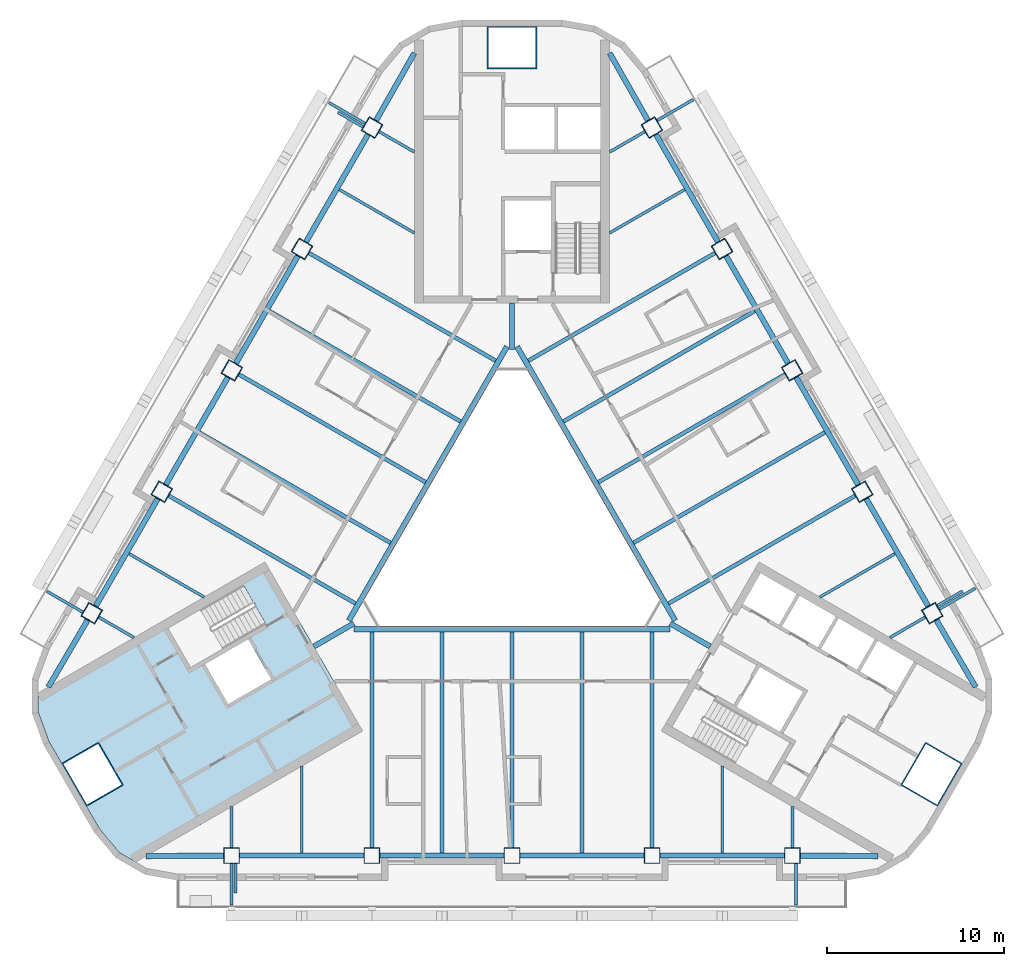
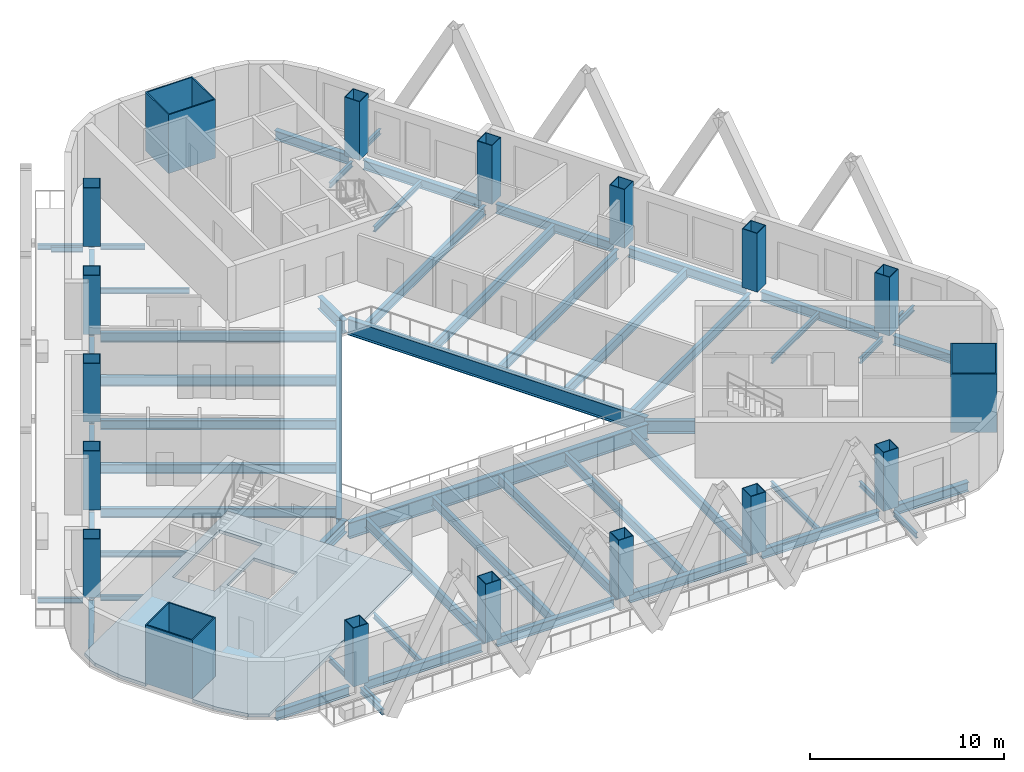
# One storey, part 1 of 13: 60 beams, 18 columns, 1 slab.
"""IFC4 building model written with IfcOpenShell, lengths in metres."""

from ifc_helpers import new_model, si_unit, direction, frame, origin, origin_2d, place, context, subcontext, project, spatial, polyline, rectangle, hollow_rectangle, i_section, outline, extrude, material, layer, layer_set, material_profile, profile_set, type_object, element, save


model = new_model("IFC4")

# Units and contexts
model_context = context("Model", 3, precision=1e-05, world=origin(), true_north=direction((0.0, 1.0)))
body_context = subcontext(model_context, "Body", "Model", "MODEL_VIEW")
ifc_project = project(units=[si_unit("LENGTHUNIT", "METRE"), si_unit("AREAUNIT", "SQUARE_METRE"), si_unit("VOLUMEUNIT", "CUBIC_METRE"), si_unit("PLANEANGLEUNIT", "RADIAN"), si_unit("MASSUNIT", "GRAM", prefix="KILO")], contexts=[model_context])

# Site, building, storey
site_placement = place(None, origin())
site = spatial("IfcSite", under=ifc_project, at=site_placement, CompositionType="ELEMENT")
building_placement = place(site_placement, origin())
building = spatial("IfcBuilding", under=site, at=building_placement, Name="Apuvela Tower Hotel", CompositionType="ELEMENT")
storey_placement = place(building_placement, frame((0.0, 0.0, 105.699951171875)))
storey = spatial("IfcBuildingStorey", under=building, at=storey_placement, Name="L24", CompositionType="ELEMENT", Elevation=105.699951171875)

# Columns
ifc_material_1 = material(Name="Steel S460", Category="steel")
ifc_material_profile_1 = material_profile(ifc_material_1, hollow_rectangle(XDim=2.800048828125, YDim=2.39990234375, WallThickness=0.070068359375, at=origin_2d()), Name="BOX 2800x2400x70")
ifc_material_2 = material(Name="Concrete C80/95", Category="concrete")
ifc_material_profile_2 = material_profile(ifc_material_2, rectangle(XDim=2.659912109375, YDim=2.260009765625, at=origin_2d()), Name="Concrete C80/95 infill")
ifc_profile_set_1 = profile_set([ifc_material_profile_1, ifc_material_profile_2], Name="Steel S460")
column_type_1 = type_object("IfcColumnType", Name="STR-MC mega column BOX 2800x2400x70", PredefinedType="COLUMN", material=ifc_profile_set_1)
for number, where, z_axis, x_axis, name in (
    (1, (0.0, 27.300048828125, 0.0), (0.0, 0.0, 1.0), (1.0, 0.0, 0.0), "Mega column MC2 N"),
    (2, (-23.642578125, -13.64990234375, 0.0), (0.0, 0.0, 1.0), (-0.5, 0.866025403784, 0.0), "Mega column MC2 SW"),
    (3, (23.642578125, -13.64990234375, 0.0), (0.0, 0.0, 1.0), (0.5, 0.866025403784, 0.0), "Mega column MC2 SE"),
):
    element("IfcColumn", number, at=place(storey_placement, frame(where, z_axis=z_axis, x_axis=x_axis)), inside=storey, type_object=column_type_1, Name=name, PredefinedType="COLUMN", context=body_context, shape_type="SweptSolid", body=[
        extrude(hollow_rectangle(XDim=2.800048828125, YDim=2.39990234375, WallThickness=0.070068359375, at=origin_2d()), origin(), (0.0, 0.0, 1.0), 3.699951171875),
    ])
ifc_material_profile_3 = material_profile(ifc_material_1, hollow_rectangle(XDim=0.89990234375, YDim=0.89990234375, WallThickness=0.0400390625, at=origin_2d()), Name="BOX 900x900x40")
ifc_material_profile_4 = material_profile(ifc_material_2, rectangle(XDim=0.820068359375, YDim=0.820068359375, at=origin_2d()), Name="Concrete C80/95 infill")
ifc_profile_set_2 = profile_set([ifc_material_profile_3, ifc_material_profile_4], Name="Steel S460")
column_type_2 = type_object("IfcColumnType", Name="STR-PC perimeter column BOX 900x900x40", PredefinedType="COLUMN", material=ifc_profile_set_2)
for number, where, z_axis, x_axis, name in (
    (4, (-15.800048828125, -18.22998046875, 0.0), (0.0, 0.0, 1.0), (-1.0, 0.0, 0.0), "Perimeter column C3 S1"),
    (5, (-7.89990234375, -18.22998046875, 0.0), (0.0, 0.0, 1.0), (-1.0, 0.0, 0.0), "Perimeter column C3 S2"),
    (6, (0.0, -18.22998046875, 0.0), (0.0, 0.0, 1.0), (-1.0, 0.0, 0.0), "Perimeter column C3 S3"),
    (7, (7.89990234375, -18.22998046875, 0.0), (0.0, 0.0, 1.0), (-1.0, 0.0, 0.0), "Perimeter column C3 S4"),
    (8, (15.800048828125, -18.22998046875, 0.0), (0.0, 0.0, 1.0), (-1.0, 0.0, 0.0), "Perimeter column C3 S5"),
    (9, (23.6875, -4.568115234375, 0.0), (0.0, 0.0, 1.0), (-0.5, 0.866025403784, 0.0), "Perimeter column C3 NE1"),
    (10, (19.737548828125, 2.2734375, 0.0), (0.0, 0.0, 1.0), (-0.5, 0.866025403784, 0.0), "Perimeter column C3 NE2"),
    (11, (15.78759765625, 9.114990234375, 0.0), (0.0, 0.0, 1.0), (-0.5, 0.866025403784, 0.0), "Perimeter column C3 NE3"),
    (12, (11.837646484375, 15.95654296875, 0.0), (0.0, 0.0, 1.0), (-0.5, 0.866025403784, 0.0), "Perimeter column C3 NE4"),
    (13, (7.8876953125, 22.798095703125, 0.0), (0.0, 0.0, 1.0), (-0.5, 0.866025403784, 0.0), "Perimeter column C3 NE5"),
    (14, (-7.8876953125, 22.798095703125, 0.0), (0.0, 0.0, 1.0), (0.5, 0.866025403784, 0.0), "Perimeter column C3 NW1"),
    (15, (-11.837646484375, 15.95654296875, 0.0), (0.0, 0.0, 1.0), (0.5, 0.866025403784, 0.0), "Perimeter column C3 NW2"),
    (16, (-15.78759765625, 9.114990234375, 0.0), (0.0, 0.0, 1.0), (0.5, 0.866025403784, 0.0), "Perimeter column C3 NW3"),
    (17, (-19.737548828125, 2.2734375, 0.0), (0.0, 0.0, 1.0), (0.5, 0.866025403784, 0.0), "Perimeter column C3 NW4"),
    (18, (-23.6875, -4.568115234375, 0.0), (0.0, 0.0, 1.0), (0.5, 0.866025403784, 0.0), "Perimeter column C3 NW5"),
):
    element("IfcColumn", number, at=place(storey_placement, frame(where, z_axis=z_axis, x_axis=x_axis)), inside=storey, type_object=column_type_2, Name=name, PredefinedType="COLUMN", context=body_context, shape_type="SweptSolid", body=[
        extrude(hollow_rectangle(XDim=0.89990234375, YDim=0.89990234375, WallThickness=0.0400390625, at=origin_2d()), origin(), (0.0, 0.0, 1.0), 3.699951171875),
    ])

# Beams
ifc_material_3 = material(Name="Steel S355", Category="steel")
ifc_material_profile_5 = material_profile(ifc_material_3, i_section(OverallWidth=0.159912109375, OverallDepth=0.330078125, WebThickness=0.007568359375, FlangeThickness=0.011474609375, at=origin_2d()), Name="IPE 330")
ifc_profile_set_3 = profile_set([ifc_material_profile_5], Name="Steel S355")
beam_type_1 = type_object("IfcBeamType", Name="ENV-BALCONY-BEAM-IPE330", PredefinedType="BEAM", material=ifc_profile_set_3)
beam_1_placement = place(storey_placement, frame((-15.800048828125, -18.679931640625, -0.31494140625), z_axis=(0.0, -1.0, 0.0), x_axis=(1.0, 0.0, 0.0)))
element("IfcBeam", 19, at=beam_1_placement, inside=storey, type_object=beam_type_1, Name="Balcony cantilever beam S1 L24", PredefinedType="BEAM", context=body_context, shape_type="SweptSolid", body=[
    extrude(i_section(OverallWidth=0.159912109375, OverallDepth=0.330078125, WebThickness=0.007568359375, FlangeThickness=0.011474609375, at=origin_2d()), origin(), (0.0, 0.0, 1.0), 2.35009765625),
])
beam_2_placement = place(storey_placement, frame((-15.580078125, -18.679931640625, -0.31494140625), z_axis=(0.0, -1.0, 0.0), x_axis=(1.0, 0.0, 0.0)))
element("IfcBeam", 20, at=beam_2_placement, inside=storey, type_object=beam_type_1, Name="Balcony cantilever beam S2 L24", PredefinedType="BEAM", context=body_context, shape_type="SweptSolid", body=[
    extrude(i_section(OverallWidth=0.159912109375, OverallDepth=0.330078125, WebThickness=0.007568359375, FlangeThickness=0.011474609375, at=origin_2d()), origin(), (0.0, 0.0, 1.0), 1.650146484375),
])
for number, where, z_axis, x_axis, name in (
    (21, (16.0, -18.679931640625, -0.31494140625), (0.0, -1.0, 0.0), (1.0, 0.0, 0.0), "Balcony cantilever beam S3 L24"),
    (22, (24.077392578125, -4.34326171875, -0.31494140625), (0.866016039709, 0.500016218704, 0.0), (-0.500016218704, 0.866016039709, 0.0), "Balcony cantilever beam NE1 L24"),
):
    element("IfcBeam", number, at=place(storey_placement, frame(where, z_axis=z_axis, x_axis=x_axis)), inside=storey, type_object=beam_type_1, Name=name, PredefinedType="BEAM", context=body_context, shape_type="SweptSolid", body=[
        extrude(i_section(OverallWidth=0.159912109375, OverallDepth=0.330078125, WebThickness=0.007568359375, FlangeThickness=0.011474609375, at=origin_2d()), origin(), (0.0, 0.0, 1.0), 2.35009765625),
    ])
beam_3_placement = place(storey_placement, frame((23.96728515625, -4.152587890625, -0.31494140625), z_axis=(0.866040211805, 0.499974350878, 0.0), x_axis=(-0.499974350878, 0.866040211805, 0.0)))
element("IfcBeam", 23, at=beam_3_placement, inside=storey, type_object=beam_type_1, Name="Balcony cantilever beam NE2 L24", PredefinedType="BEAM", context=body_context, shape_type="SweptSolid", body=[
    extrude(i_section(OverallWidth=0.159912109375, OverallDepth=0.330078125, WebThickness=0.007568359375, FlangeThickness=0.011474609375, at=origin_2d()), origin(), (0.0, 0.0, 1.0), 1.64990234375),
])
beam_4_placement = place(storey_placement, frame((8.177490234375, 23.1962890625, -0.31494140625), z_axis=(0.865990062348, 0.500061208168, 0.0), x_axis=(-0.500061208168, 0.865990062348, 0.0)))
element("IfcBeam", 24, at=beam_4_placement, inside=storey, type_object=beam_type_1, Name="Balcony cantilever beam NE3 L24", PredefinedType="BEAM", context=body_context, shape_type="SweptSolid", body=[
    extrude(i_section(OverallWidth=0.159912109375, OverallDepth=0.330078125, WebThickness=0.007568359375, FlangeThickness=0.011474609375, at=origin_2d()), origin(), (0.0, 0.0, 1.0), 2.349853515625),
])
beam_5_placement = place(storey_placement, frame((-8.27734375, 23.023193359375, -0.31494140625), z_axis=(-0.866016039709, 0.500016218704, 0.0), x_axis=(-0.500016218704, -0.866016039709, 0.0)))
element("IfcBeam", 25, at=beam_5_placement, inside=storey, type_object=beam_type_1, Name="Balcony cantilever beam NW1 L24", PredefinedType="BEAM", context=body_context, shape_type="SweptSolid", body=[
    extrude(i_section(OverallWidth=0.159912109375, OverallDepth=0.330078125, WebThickness=0.007568359375, FlangeThickness=0.011474609375, at=origin_2d()), origin(), (0.0, 0.0, 1.0), 2.35009765625),
])
beam_6_placement = place(storey_placement, frame((-8.387451171875, 22.832763671875, -0.31494140625), z_axis=(-0.866040211805, 0.499974350878, 0.0), x_axis=(-0.499974350878, -0.866040211805, 0.0)))
element("IfcBeam", 26, at=beam_6_placement, inside=storey, type_object=beam_type_1, Name="Balcony cantilever beam NW2 L24", PredefinedType="BEAM", context=body_context, shape_type="SweptSolid", body=[
    extrude(i_section(OverallWidth=0.159912109375, OverallDepth=0.330078125, WebThickness=0.007568359375, FlangeThickness=0.011474609375, at=origin_2d()), origin(), (0.0, 0.0, 1.0), 1.64990234375),
])
beam_7_placement = place(storey_placement, frame((-24.177490234375, -4.516357421875, -0.31494140625), z_axis=(-0.865990062348, 0.500061208168, 0.0), x_axis=(-0.500061208168, -0.865990062348, 0.0)))
element("IfcBeam", 27, at=beam_7_placement, inside=storey, type_object=beam_type_1, Name="Balcony cantilever beam NW3 L24", PredefinedType="BEAM", context=body_context, shape_type="SweptSolid", body=[
    extrude(i_section(OverallWidth=0.159912109375, OverallDepth=0.330078125, WebThickness=0.007568359375, FlangeThickness=0.011474609375, at=origin_2d()), origin(), (0.0, 0.0, 1.0), 2.349853515625),
])
ifc_material_profile_6 = material_profile(ifc_material_3, i_section(OverallWidth=0.159912109375, OverallDepth=0.330078125, WebThickness=0.007568359375, FlangeThickness=0.011474609375, at=origin_2d()), Name="IPE 330")
ifc_profile_set_4 = profile_set([ifc_material_profile_6], Name="Steel S355")
beam_type_2 = type_object("IfcBeamType", Name="STR-B floor beam IPE 330", PredefinedType="BEAM", material=ifc_profile_set_4)
beam_8_placement = place(storey_placement, frame((23.2978515625, -4.793212890625, -0.31494140625), z_axis=(-0.866000531106, -0.500043078269, 0.0), x_axis=(0.500043078269, -0.866000531106, 0.0)))
element("IfcBeam", 28, at=beam_8_placement, inside=storey, type_object=beam_type_2, Name="Floor beam B1 NE1", PredefinedType="BEAM", context=body_context, shape_type="SweptSolid", body=[
    extrude(i_section(OverallWidth=0.159912109375, OverallDepth=0.330078125, WebThickness=0.007568359375, FlangeThickness=0.011474609375, at=origin_2d()), origin(), (0.0, 0.0, 1.0), 2.306884765625),
])
for number, where, z_axis, x_axis, name in (
    (29, (21.582763671875, -1.222412109375, -0.31494140625), (-0.866015056278, -0.500017921979, 0.0), (0.500017921979, -0.866015056278, 0.0), "Floor beam B1 NE2"),
    (30, (9.732666015625, 19.302490234375, -0.31494140625), (-0.866015056278, -0.500017921979, 0.0), (0.500017921979, -0.866015056278, 0.0), "Floor beam B1 NE8"),
):
    element("IfcBeam", number, at=place(storey_placement, frame(where, z_axis=z_axis, x_axis=x_axis)), inside=storey, type_object=beam_type_2, Name=name, PredefinedType="BEAM", context=body_context, shape_type="SweptSolid", body=[
        extrude(i_section(OverallWidth=0.159912109375, OverallDepth=0.330078125, WebThickness=0.007568359375, FlangeThickness=0.011474609375, at=origin_2d()), origin(), (0.0, 0.0, 1.0), 4.887451171875),
    ])
for number, where, z_axis, x_axis, name in (
    (31, (7.497802734375, 22.5732421875, -0.31494140625), (-0.866000531106, -0.500043078269, 0.0), (0.500043078269, -0.866000531106, 0.0), "Floor beam B1 NE9"),
    (32, (-7.497802734375, 22.5732421875, -0.31494140625), (0.866000531106, -0.500043078269, 0.0), (0.500043078269, 0.866000531106, 0.0), "Floor beam B1 NW1"),
):
    element("IfcBeam", number, at=place(storey_placement, frame(where, z_axis=z_axis, x_axis=x_axis)), inside=storey, type_object=beam_type_2, Name=name, PredefinedType="BEAM", context=body_context, shape_type="SweptSolid", body=[
        extrude(i_section(OverallWidth=0.159912109375, OverallDepth=0.330078125, WebThickness=0.007568359375, FlangeThickness=0.011474609375, at=origin_2d()), origin(), (0.0, 0.0, 1.0), 2.306884765625),
    ])
for number, where, z_axis, x_axis, name in (
    (33, (-9.732666015625, 19.302490234375, -0.31494140625), (0.866015056278, -0.500017921979, 0.0), (0.500017921979, 0.866015056278, 0.0), "Floor beam B1 NW2"),
    (34, (-21.582763671875, -1.222412109375, -0.31494140625), (0.866015056278, -0.500017921979, 0.0), (0.500017921979, 0.866015056278, 0.0), "Floor beam B1 NW8"),
):
    element("IfcBeam", number, at=place(storey_placement, frame(where, z_axis=z_axis, x_axis=x_axis)), inside=storey, type_object=beam_type_2, Name=name, PredefinedType="BEAM", context=body_context, shape_type="SweptSolid", body=[
        extrude(i_section(OverallWidth=0.159912109375, OverallDepth=0.330078125, WebThickness=0.007568359375, FlangeThickness=0.011474609375, at=origin_2d()), origin(), (0.0, 0.0, 1.0), 4.887451171875),
    ])
beam_9_placement = place(storey_placement, frame((-23.2978515625, -4.793212890625, -0.31494140625), z_axis=(0.866000531106, -0.500043078269, 0.0), x_axis=(0.500043078269, 0.866000531106, 0.0)))
element("IfcBeam", 35, at=beam_9_placement, inside=storey, type_object=beam_type_2, Name="Floor beam B1 NW9", PredefinedType="BEAM", context=body_context, shape_type="SweptSolid", body=[
    extrude(i_section(OverallWidth=0.159912109375, OverallDepth=0.330078125, WebThickness=0.007568359375, FlangeThickness=0.011474609375, at=origin_2d()), origin(), (0.0, 0.0, 1.0), 2.306884765625),
])
beam_10_placement = place(storey_placement, frame((-15.800048828125, -17.780029296875, -0.31494140625), z_axis=(0.0, 1.0, 0.0), x_axis=(-1.0, 0.0, 0.0)))
element("IfcBeam", 36, at=beam_10_placement, inside=storey, type_object=beam_type_2, Name="Floor beam B1 S1", PredefinedType="BEAM", context=body_context, shape_type="SweptSolid", body=[
    extrude(i_section(OverallWidth=0.159912109375, OverallDepth=0.330078125, WebThickness=0.007568359375, FlangeThickness=0.011474609375, at=origin_2d()), origin(), (0.0, 0.0, 1.0), 2.30712890625),
])
for number, where, z_axis, x_axis, name in (
    (37, (-11.85009765625, -18.080078125, -0.31494140625), (0.0, 1.0, 0.0), (-1.0, 0.0, 0.0), "Floor beam B1 S2"),
    (38, (11.85009765625, -18.080078125, -0.31494140625), (0.0, 1.0, 0.0), (-1.0, 0.0, 0.0), "Floor beam B1 S8"),
):
    element("IfcBeam", number, at=place(storey_placement, frame(where, z_axis=z_axis, x_axis=x_axis)), inside=storey, type_object=beam_type_2, Name=name, PredefinedType="BEAM", context=body_context, shape_type="SweptSolid", body=[
        extrude(i_section(OverallWidth=0.159912109375, OverallDepth=0.330078125, WebThickness=0.007568359375, FlangeThickness=0.011474609375, at=origin_2d()), origin(), (0.0, 0.0, 1.0), 4.8876953125),
    ])
beam_11_placement = place(storey_placement, frame((15.800048828125, -17.780029296875, -0.31494140625), z_axis=(0.0, 1.0, 0.0), x_axis=(-1.0, 0.0, 0.0)))
element("IfcBeam", 39, at=beam_11_placement, inside=storey, type_object=beam_type_2, Name="Floor beam B1 S9", PredefinedType="BEAM", context=body_context, shape_type="SweptSolid", body=[
    extrude(i_section(OverallWidth=0.159912109375, OverallDepth=0.330078125, WebThickness=0.007568359375, FlangeThickness=0.011474609375, at=origin_2d()), origin(), (0.0, 0.0, 1.0), 2.30712890625),
])
ifc_material_profile_7 = material_profile(ifc_material_3, i_section(OverallWidth=0.219970703125, OverallDepth=0.60009765625, WebThickness=0.011962890625, FlangeThickness=0.01904296875, at=origin_2d()), Name="IPE 600")
ifc_profile_set_5 = profile_set([ifc_material_profile_7], Name="Steel S355")
beam_type_3 = type_object("IfcBeamType", Name="STR-B floor beam IPE 600", PredefinedType="BEAM", material=ifc_profile_set_5)
beam_12_placement = place(storey_placement, frame((19.347900390625, 2.04833984375, -0.449951171875), z_axis=(-0.866028751965, -0.499994200737, 0.0), x_axis=(0.499994200737, -0.866028751965, 0.0)))
element("IfcBeam", 40, at=beam_12_placement, inside=storey, type_object=beam_type_3, Name="Floor beam B8 NE3", PredefinedType="BEAM", context=body_context, shape_type="SweptSolid", body=[
    extrude(i_section(OverallWidth=0.219970703125, OverallDepth=0.60009765625, WebThickness=0.011962890625, FlangeThickness=0.01904296875, at=origin_2d()), origin(), (0.0, 0.0, 1.0), 12.157958984375),
])
beam_13_placement = place(storey_placement, frame((17.6328125, 5.619140625, -0.449951171875), z_axis=(-0.866027636335, -0.499996133089, 0.0), x_axis=(0.499996133089, -0.866027636335, 0.0)))
element("IfcBeam", 41, at=beam_13_placement, inside=storey, type_object=beam_type_3, Name="Floor beam B8 NE4", PredefinedType="BEAM", context=body_context, shape_type="SweptSolid", body=[
    extrude(i_section(OverallWidth=0.219970703125, OverallDepth=0.60009765625, WebThickness=0.011962890625, FlangeThickness=0.01904296875, at=origin_2d()), origin(), (0.0, 0.0, 1.0), 12.4580078125),
])
beam_14_placement = place(storey_placement, frame((15.39794921875, 8.889892578125, -0.449951171875), z_axis=(-0.866028751965, -0.499994200737, 0.0), x_axis=(0.499994200737, -0.866028751965, 0.0)))
element("IfcBeam", 42, at=beam_14_placement, inside=storey, type_object=beam_type_3, Name="Floor beam B8 NE5", PredefinedType="BEAM", context=body_context, shape_type="SweptSolid", body=[
    extrude(i_section(OverallWidth=0.219970703125, OverallDepth=0.60009765625, WebThickness=0.011962890625, FlangeThickness=0.01904296875, at=origin_2d()), origin(), (0.0, 0.0, 1.0), 12.157958984375),
])
beam_15_placement = place(storey_placement, frame((13.6826171875, 12.460693359375, -0.449951171875), z_axis=(-0.866022737053, -0.500004618886, 0.0), x_axis=(0.500004618886, -0.866022737053, 0.0)))
element("IfcBeam", 43, at=beam_15_placement, inside=storey, type_object=beam_type_3, Name="Floor beam B8 NE6", PredefinedType="BEAM", context=body_context, shape_type="SweptSolid", body=[
    extrude(i_section(OverallWidth=0.219970703125, OverallDepth=0.60009765625, WebThickness=0.011962890625, FlangeThickness=0.01904296875, at=origin_2d()), origin(), (0.0, 0.0, 1.0), 12.4580078125),
])
for number, where, z_axis, x_axis, name in (
    (44, (11.447998046875, 15.731689453125, -0.449951171875), (-0.866025076934, -0.500000566121, 0.0), (0.500000566121, -0.866025076934, 0.0), "Floor beam B8 NE7"),
    (45, (-11.447998046875, 15.731689453125, -0.449951171875), (0.866025076934, -0.500000566121, 0.0), (0.500000566121, 0.866025076934, 0.0), "Floor beam B8 NW3"),
):
    element("IfcBeam", number, at=place(storey_placement, frame(where, z_axis=z_axis, x_axis=x_axis)), inside=storey, type_object=beam_type_3, Name=name, PredefinedType="BEAM", context=body_context, shape_type="SweptSolid", body=[
        extrude(i_section(OverallWidth=0.219970703125, OverallDepth=0.60009765625, WebThickness=0.011962890625, FlangeThickness=0.01904296875, at=origin_2d()), origin(), (0.0, 0.0, 1.0), 12.158203125),
    ])
beam_16_placement = place(storey_placement, frame((-13.6826171875, 12.460693359375, -0.449951171875), z_axis=(0.866022737053, -0.500004618886, 0.0), x_axis=(0.500004618886, 0.866022737053, 0.0)))
element("IfcBeam", 46, at=beam_16_placement, inside=storey, type_object=beam_type_3, Name="Floor beam B8 NW4", PredefinedType="BEAM", context=body_context, shape_type="SweptSolid", body=[
    extrude(i_section(OverallWidth=0.219970703125, OverallDepth=0.60009765625, WebThickness=0.011962890625, FlangeThickness=0.01904296875, at=origin_2d()), origin(), (0.0, 0.0, 1.0), 12.4580078125),
])
beam_17_placement = place(storey_placement, frame((-15.39794921875, 8.889892578125, -0.449951171875), z_axis=(0.866028751965, -0.499994200737, 0.0), x_axis=(0.499994200737, 0.866028751965, 0.0)))
element("IfcBeam", 47, at=beam_17_placement, inside=storey, type_object=beam_type_3, Name="Floor beam B8 NW5", PredefinedType="BEAM", context=body_context, shape_type="SweptSolid", body=[
    extrude(i_section(OverallWidth=0.219970703125, OverallDepth=0.60009765625, WebThickness=0.011962890625, FlangeThickness=0.01904296875, at=origin_2d()), origin(), (0.0, 0.0, 1.0), 12.157958984375),
])
beam_18_placement = place(storey_placement, frame((-17.6328125, 5.619140625, -0.449951171875), z_axis=(0.866027636335, -0.499996133089, 0.0), x_axis=(0.499996133089, 0.866027636335, 0.0)))
element("IfcBeam", 48, at=beam_18_placement, inside=storey, type_object=beam_type_3, Name="Floor beam B8 NW6", PredefinedType="BEAM", context=body_context, shape_type="SweptSolid", body=[
    extrude(i_section(OverallWidth=0.219970703125, OverallDepth=0.60009765625, WebThickness=0.011962890625, FlangeThickness=0.01904296875, at=origin_2d()), origin(), (0.0, 0.0, 1.0), 12.4580078125),
])
for number, where, z_axis, x_axis, name in (
    (49, (-19.347900390625, 2.04833984375, -0.449951171875), (0.866028751965, -0.499994200737, 0.0), (0.499994200737, 0.866028751965, 0.0), "Floor beam B8 NW7"),
    (50, (-7.89990234375, -17.780029296875, -0.449951171875), (0.0, 1.0, 0.0), (-1.0, 0.0, 0.0), "Floor beam B8 S3"),
):
    element("IfcBeam", number, at=place(storey_placement, frame(where, z_axis=z_axis, x_axis=x_axis)), inside=storey, type_object=beam_type_3, Name=name, PredefinedType="BEAM", context=body_context, shape_type="SweptSolid", body=[
        extrude(i_section(OverallWidth=0.219970703125, OverallDepth=0.60009765625, WebThickness=0.011962890625, FlangeThickness=0.01904296875, at=origin_2d()), origin(), (0.0, 0.0, 1.0), 12.157958984375),
    ])
beam_19_placement = place(storey_placement, frame((-3.949951171875, -18.080078125, -0.449951171875), z_axis=(0.0, 1.0, 0.0), x_axis=(-1.0, 0.0, 0.0)))
element("IfcBeam", 51, at=beam_19_placement, inside=storey, type_object=beam_type_3, Name="Floor beam B8 S4", PredefinedType="BEAM", context=body_context, shape_type="SweptSolid", body=[
    extrude(i_section(OverallWidth=0.219970703125, OverallDepth=0.60009765625, WebThickness=0.011962890625, FlangeThickness=0.01904296875, at=origin_2d()), origin(), (0.0, 0.0, 1.0), 12.4580078125),
])
beam_20_placement = place(storey_placement, frame((0.0, -17.780029296875, -0.449951171875), z_axis=(0.0, 1.0, 0.0), x_axis=(-1.0, 0.0, 0.0)))
element("IfcBeam", 52, at=beam_20_placement, inside=storey, type_object=beam_type_3, Name="Floor beam B8 S5", PredefinedType="BEAM", context=body_context, shape_type="SweptSolid", body=[
    extrude(i_section(OverallWidth=0.219970703125, OverallDepth=0.60009765625, WebThickness=0.011962890625, FlangeThickness=0.01904296875, at=origin_2d()), origin(), (0.0, 0.0, 1.0), 12.157958984375),
])
beam_21_placement = place(storey_placement, frame((3.949951171875, -18.080078125, -0.449951171875), z_axis=(0.0, 1.0, 0.0), x_axis=(-1.0, 0.0, 0.0)))
element("IfcBeam", 53, at=beam_21_placement, inside=storey, type_object=beam_type_3, Name="Floor beam B8 S6", PredefinedType="BEAM", context=body_context, shape_type="SweptSolid", body=[
    extrude(i_section(OverallWidth=0.219970703125, OverallDepth=0.60009765625, WebThickness=0.011962890625, FlangeThickness=0.01904296875, at=origin_2d()), origin(), (0.0, 0.0, 1.0), 12.4580078125),
])
beam_22_placement = place(storey_placement, frame((7.89990234375, -17.780029296875, -0.449951171875), z_axis=(0.0, 1.0, 0.0), x_axis=(-1.0, 0.0, 0.0)))
element("IfcBeam", 54, at=beam_22_placement, inside=storey, type_object=beam_type_3, Name="Floor beam B8 S7", PredefinedType="BEAM", context=body_context, shape_type="SweptSolid", body=[
    extrude(i_section(OverallWidth=0.219970703125, OverallDepth=0.60009765625, WebThickness=0.011962890625, FlangeThickness=0.01904296875, at=origin_2d()), origin(), (0.0, 0.0, 1.0), 12.157958984375),
])
ifc_material_profile_8 = material_profile(ifc_material_3, i_section(OverallWidth=0.302001953125, OverallDepth=1.008056640625, WebThickness=0.02099609375, FlangeThickness=0.0400390625, at=origin_2d()), Name="HE 1000 M")
ifc_profile_set_6 = profile_set([ifc_material_profile_8], Name="Steel S355")
beam_type_4 = type_object("IfcBeamType", Name="STR-G atrium ring girder HE 1000 M", PredefinedType="BEAM", material=ifc_profile_set_6)
for number, where, z_axis, x_axis, name in (
    (55, (-0.28076171875, 10.455810546875, -0.654052734375), (-0.500000611842, -0.866025050537, 0.0), (0.866025050537, -0.500000611842, 0.0), "Atrium ring girder G1 N-SW"),
    (56, (-8.91455078125, -5.470947265625, -0.654052734375), (1.0, 0.0, 0.0), (0.0, 1.0, 0.0), "Atrium ring girder G1 SW-SE"),
    (57, (9.1953125, -4.984619140625, -0.654052734375), (-0.500000611842, 0.866025050537, 0.0), (-0.866025050537, -0.500000611842, 0.0), "Atrium ring girder G1 SE-N"),
):
    element("IfcBeam", number, at=place(storey_placement, frame(where, z_axis=z_axis, x_axis=x_axis)), inside=storey, type_object=beam_type_4, Name=name, PredefinedType="BEAM", context=body_context, shape_type="SweptSolid", body=[
        extrude(i_section(OverallWidth=0.302001953125, OverallDepth=1.008056640625, WebThickness=0.02099609375, FlangeThickness=0.0400390625, at=origin_2d()), origin(), (0.0, 0.0, 1.0), 17.8291015625),
    ])
ifc_material_profile_9 = material_profile(ifc_material_3, i_section(OverallWidth=0.300048828125, OverallDepth=0.800048828125, WebThickness=0.017578125, FlangeThickness=0.032958984375, at=origin_2d()), Name="HE 800 B")
ifc_profile_set_7 = profile_set([ifc_material_profile_9], Name="Steel S355")
beam_type_5 = type_object("IfcBeamType", Name="STR-GT core tie beam HE 800 B", PredefinedType="BEAM", material=ifc_profile_set_7)
for number, where, z_axis, x_axis, name in (
    (58, (0.0, 12.89990234375, -0.550048828125), (0.0, -1.0, 0.0), (1.0, 0.0, 0.0), "Core tie beam GT1 N"),
    (59, (-11.171630859375, -6.449951171875, -0.550048828125), (0.865997922154, 0.500047596559, 0.0), (-0.500047596559, 0.865997922154, 0.0), "Core tie beam GT1 SW"),
    (60, (11.171630859375, -6.449951171875, -0.550048828125), (-0.865997922154, 0.500047596559, 0.0), (-0.500047596559, -0.865997922154, 0.0), "Core tie beam GT1 SE"),
):
    element("IfcBeam", number, at=place(storey_placement, frame(where, z_axis=z_axis, x_axis=x_axis)), inside=storey, type_object=beam_type_5, Name=name, PredefinedType="BEAM", context=body_context, shape_type="SweptSolid", body=[
        extrude(i_section(OverallWidth=0.300048828125, OverallDepth=0.800048828125, WebThickness=0.017578125, FlangeThickness=0.032958984375, at=origin_2d()), origin(), (0.0, 0.0, 1.0), 2.599853515625),
    ])
ifc_material_profile_10 = material_profile(ifc_material_3, i_section(OverallWidth=0.300048828125, OverallDepth=0.590087890625, WebThickness=0.012939453125, FlangeThickness=0.02490234375, at=origin_2d()), Name="HE 600 A")
ifc_profile_set_8 = profile_set([ifc_material_profile_10], Name="Steel S355")
beam_type_6 = type_object("IfcBeamType", Name="STR-SB spandrel beam HE 600 A", PredefinedType="SPANDREL", material=ifc_profile_set_8)
for number, where, z_axis, x_axis, name in (
    (61, (-15.35009765625, -18.22998046875, -0.445068359375), (1.0, 0.0, 0.0), (0.0, 1.0, 0.0), "Spandrel beam SB2 S1"),
    (62, (-7.449951171875, -18.22998046875, -0.445068359375), (1.0, 0.0, 0.0), (0.0, 1.0, 0.0), "Spandrel beam SB2 S2"),
    (63, (0.449951171875, -18.22998046875, -0.445068359375), (1.0, 0.0, 0.0), (0.0, 1.0, 0.0), "Spandrel beam SB2 S3"),
    (64, (8.35009765625, -18.22998046875, -0.445068359375), (1.0, 0.0, 0.0), (0.0, 1.0, 0.0), "Spandrel beam SB2 S4"),
    (65, (23.462646484375, -4.178466796875, -0.445068359375), (-0.499995173006, 0.866028190633, 0.0), (-0.866028190633, -0.499995173006, 0.0), "Spandrel beam SB2 NE1"),
    (66, (19.5126953125, 2.6630859375, -0.445068359375), (-0.499995173006, 0.866028190633, 0.0), (-0.866028190633, -0.499995173006, 0.0), "Spandrel beam SB2 NE2"),
    (67, (15.5625, 9.504638671875, -0.445068359375), (-0.499995173006, 0.866028190633, 0.0), (-0.866028190633, -0.499995173006, 0.0), "Spandrel beam SB2 NE3"),
    (68, (11.612548828125, 16.34619140625, -0.445068359375), (-0.499995173006, 0.866028190633, 0.0), (-0.866028190633, -0.499995173006, 0.0), "Spandrel beam SB2 NE4"),
    (69, (-8.112548828125, 22.408447265625, -0.445068359375), (-0.499995173006, -0.866028190633, 0.0), (0.866028190633, -0.499995173006, 0.0), "Spandrel beam SB2 NW1"),
    (70, (-12.0625, 15.56689453125, -0.445068359375), (-0.499995173006, -0.866028190633, 0.0), (0.866028190633, -0.499995173006, 0.0), "Spandrel beam SB2 NW2"),
    (71, (-16.0126953125, 8.725341796875, -0.445068359375), (-0.499995173006, -0.866028190633, 0.0), (0.866028190633, -0.499995173006, 0.0), "Spandrel beam SB2 NW3"),
    (72, (-19.962646484375, 1.8837890625, -0.445068359375), (-0.499995173006, -0.866028190633, 0.0), (0.866028190633, -0.499995173006, 0.0), "Spandrel beam SB2 NW4"),
):
    element("IfcBeam", number, at=place(storey_placement, frame(where, z_axis=z_axis, x_axis=x_axis)), inside=storey, type_object=beam_type_6, Name=name, PredefinedType="SPANDREL", context=body_context, shape_type="SweptSolid", body=[
        extrude(i_section(OverallWidth=0.300048828125, OverallDepth=0.590087890625, WebThickness=0.012939453125, FlangeThickness=0.02490234375, at=origin_2d()), origin(), (0.0, 0.0, 1.0), 7.0),
    ])
for number, where, z_axis, x_axis, name in (
    (73, (-16.25, -18.233154296875, -0.445068359375), (-0.999976528586, -0.006851443461, 0.0), (0.006851443461, -0.999976528586, 0.0), "Spandrel beam SB2 S1-SW"),
    (74, (16.25, -18.233154296875, -0.445068359375), (0.999976528586, -0.006851443461, 0.0), (0.006851443461, 0.999976528586, 0.0), "Spandrel beam SB2 S5-SE"),
    (75, (23.915283203125, -4.956298828125, -0.445068359375), (0.505951068275, -0.862562181244, 0.0), (0.862562181244, 0.505951068275, 0.0), "Spandrel beam SB2 NE1-SE"),
    (76, (7.665283203125, 23.189453125, -0.445068359375), (-0.494043860968, 0.869436980718, 0.0), (-0.869436980718, -0.494043860968, 0.0), "Spandrel beam SB2 NE5-N"),
    (77, (-7.665283203125, 23.189453125, -0.445068359375), (0.494043860968, 0.869436980718, 0.0), (-0.869436980718, 0.494043860968, 0.0), "Spandrel beam SB2 NW1-N"),
    (78, (-23.915283203125, -4.956298828125, -0.445068359375), (-0.505951068275, -0.862562181244, 0.0), (0.862562181244, -0.505951068275, 0.0), "Spandrel beam SB2 NW5-SW"),
):
    element("IfcBeam", number, at=place(storey_placement, frame(where, z_axis=z_axis, x_axis=x_axis)), inside=storey, type_object=beam_type_6, Name=name, PredefinedType="SPANDREL", context=body_context, shape_type="SweptSolid", body=[
        extrude(i_section(OverallWidth=0.300048828125, OverallDepth=0.590087890625, WebThickness=0.012939453125, FlangeThickness=0.02490234375, at=origin_2d()), origin(), (0.0, 0.0, 1.0), 4.3828125),
    ])

# Slab
ifc_material_4 = material(Name="Concrete C50/60", Category="concrete")
ifc_layer = layer(ifc_material_4, 0.199951171875)
ifc_layer_set = layer_set([ifc_layer], Name="COR-FLOOR-200")
slab_type = type_object("IfcSlabType", Name="COR-FLOOR-200", PredefinedType="FLOOR", material=ifc_layer_set)
slab_placement = place(storey_placement, frame((0.0, 0.0, -0.199951171875)))
element("IfcSlab", 79, at=slab_placement, inside=storey, type_object=slab_type, Name="Core floor SW", PredefinedType="FLOOR", context=body_context, shape_type="SweptSolid", body=[
    extrude(outline(polyline([(-26.711181640625, -9.07080078125), (-26.711181640625, -10.123291015625), (-26.109375, -11.77734375), (-25.381591796875, -13.03759765625), (-23.30322265625, -11.837646484375), (-21.9033203125, -14.262451171875), (-23.981689453125, -15.46240234375), (-23.254150390625, -16.72265625), (-22.122802734375, -18.071044921875), (-21.211181640625, -18.59716796875), (-8.421630859375, -11.213134765625), (-13.921630859375, -1.68701171875), (-26.711181640625, -9.07080078125)]), holes=[polyline([(-13.874267578125, -5.18115234375), (-18.112548828125, -7.628173828125), (-19.387451171875, -5.419921875), (-15.149169921875, -2.972900390625), (-13.874267578125, -5.18115234375)]), polyline([(-13.56982421875, -8.29638671875), (-15.99462890625, -9.6962890625), (-17.294677734375, -7.444580078125), (-14.869873046875, -6.044677734375), (-13.56982421875, -8.29638671875)])]), origin(), (0.0, 0.0, 1.0), 0.199951171875),
])

save(model, "model.ifc")
